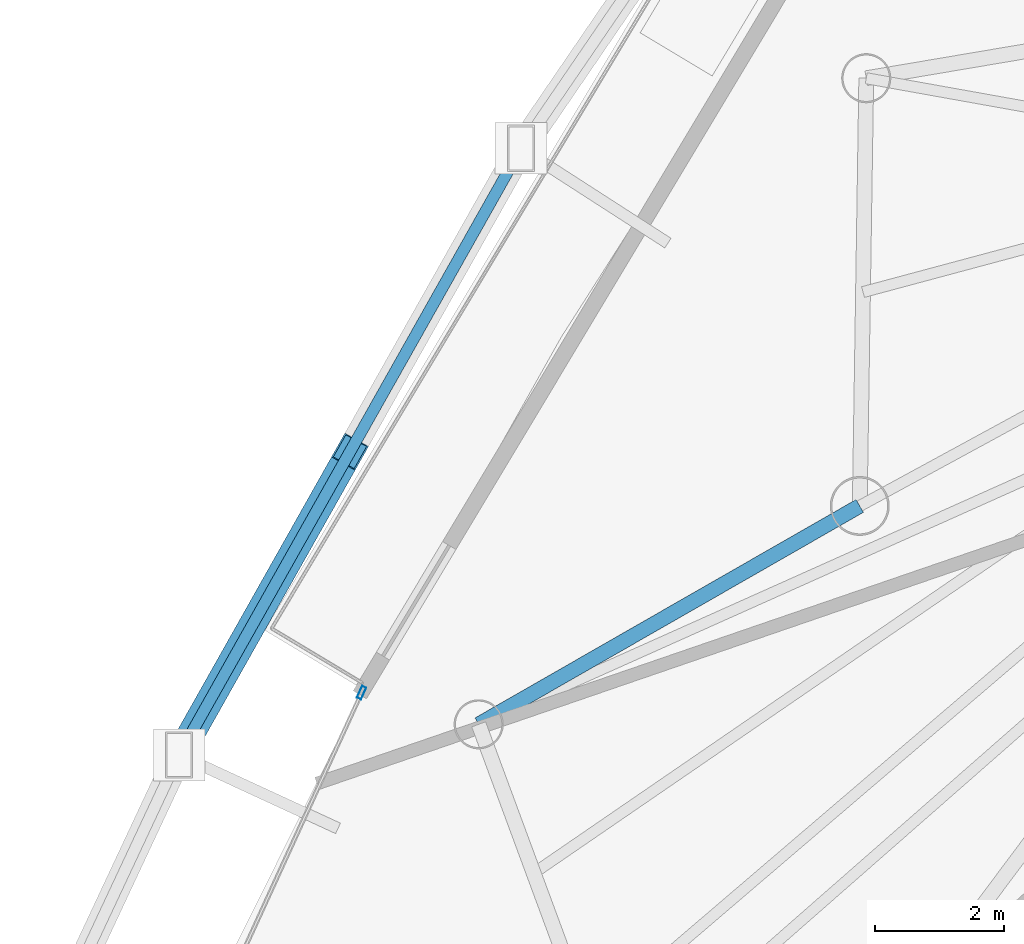
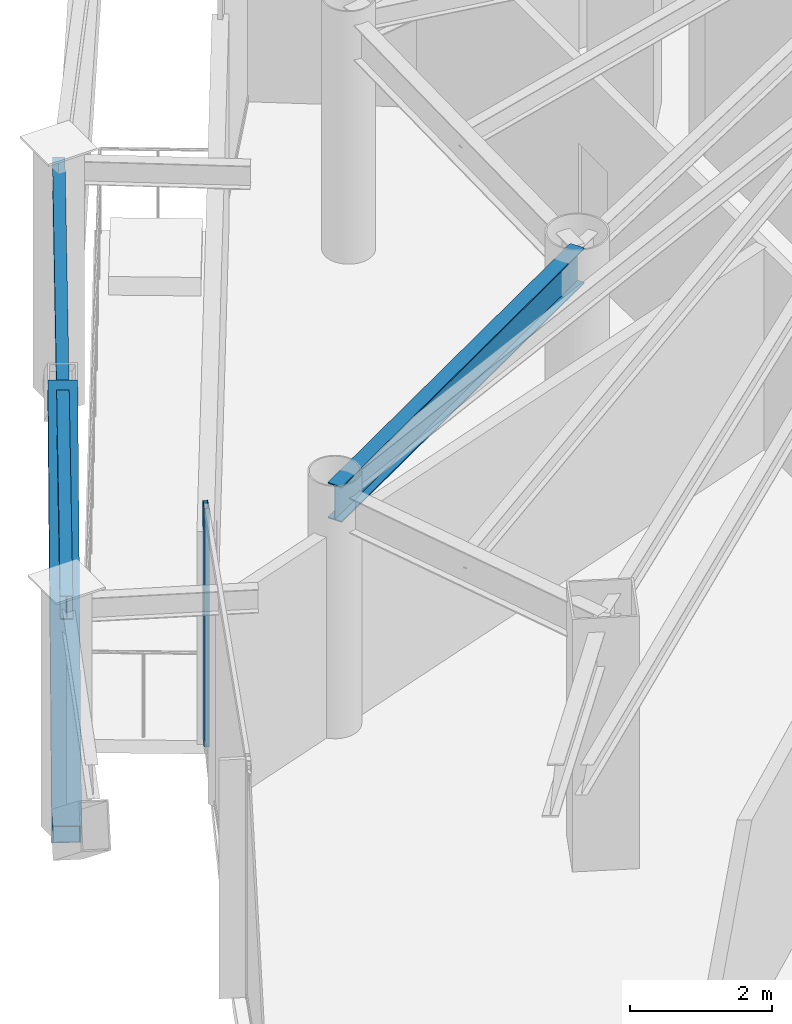
# One storey, part 10 of 33: 2 beams, 2 members, 1 element without a shape of its own.
"""IFC4 building model written with IfcOpenShell, lengths in metres."""

from ifc_helpers import new_model, si_unit, direction, frame, origin, origin_2d, place, context, subcontext, project, spatial, hollow_rectangle, i_section, extrude, material, layer, layer_set, material_profile, profile_set, type_object, element, aggregate, save


model = new_model("IFC4")

# Units and contexts
model_context = context("Model", 3, precision=1e-05, world=origin(), true_north=direction((0.0, 1.0)))
body_context = subcontext(model_context, "Body", "Model", "MODEL_VIEW")
ifc_project = project(units=[si_unit("LENGTHUNIT", "METRE"), si_unit("AREAUNIT", "SQUARE_METRE"), si_unit("VOLUMEUNIT", "CUBIC_METRE"), si_unit("PLANEANGLEUNIT", "RADIAN"), si_unit("MASSUNIT", "GRAM", prefix="KILO")], contexts=[model_context])

# Site, building, storey
site_placement = place(None, origin())
site = spatial("IfcSite", under=ifc_project, at=site_placement, CompositionType="ELEMENT")
building_placement = place(site_placement, origin())
building = spatial("IfcBuilding", under=site, at=building_placement, Name="Orvanel Arch Residences", CompositionType="ELEMENT")
storey_placement = place(building_placement, frame((0.0, 0.0, 59.89990234375)))
storey = spatial("IfcBuildingStorey", under=building, at=storey_placement, Name="L16", CompositionType="ELEMENT", Elevation=59.89990234375)

# Member
ifc_material_1 = material(Name="Structural steel AS/NZS 3678 Grade 350", Category="steel")
ifc_material_profile_1 = material_profile(ifc_material_1, hollow_rectangle(XDim=0.419921875, YDim=0.719970703125, WallThickness=0.02490234375, at=origin_2d()), Name="RHS720x420x25")
ifc_profile_set_1 = profile_set([ifc_material_profile_1], Name="Structural steel AS/NZS 3678 Grade 350")
member_type_1 = type_object("IfcMemberType", Name="BR-720RHS-EXT", PredefinedType="BRACE", material=ifc_profile_set_1)
member_1_placement = place(storey_placement, frame((10.01806640625, 23.781005859375, 0.0), z_axis=(0.397750470624, 0.705609481469, 0.586438251464), x_axis=(-0.871129337695, 0.491053639644, 0.0)))
element("IfcMember", 1, at=member_1_placement, inside=storey, type_object=member_type_1, Name="L16 Exterior Sky-Garden V-Frame Chevron F1B2.2", PredefinedType="BRACE", context=body_context, shape_type="SweptSolid", body=[
    extrude(hollow_rectangle(XDim=0.419921875, YDim=0.719970703125, WallThickness=0.02490234375, at=origin_2d()), origin(), (0.0, 0.0, 1.0), 6.662109375),
])

# Curtain wall, member
ifc_material_2 = material(Name="Bronze-anodised aluminium AA6063-T6", Category="aluminium")
ifc_layer = layer(ifc_material_2, 0.195068359375)
ifc_layer_set = layer_set([ifc_layer], Name="Bronze-anodised aluminium AA6063-T6")
curtain_wall_type = type_object("IfcCurtainWallType", Name="CW6-COM-SYS", PredefinedType="NOTDEFINED", material=ifc_layer_set)
curtain_wall_placement = place(storey_placement, origin())
curtain_wall = element("IfcCurtainWall", 2, at=curtain_wall_placement, inside=storey, type_object=curtain_wall_type, Name="L16 CW6-COM-SYS Unitised Curtain Wall", PredefinedType="NOTDEFINED")
ifc_material_profile_2 = material_profile(ifc_material_2, hollow_rectangle(XDim=0.074951171875, YDim=0.199951171875, WallThickness=0.0048828125, at=origin_2d()), Name="ALU200x75x5")
ifc_profile_set_2 = profile_set([ifc_material_profile_2], Name="Bronze-anodised aluminium AA6063-T6")
member_type_2 = type_object("IfcMemberType", Name="MUL-200x75", PredefinedType="MULLION", material=ifc_profile_set_2)
member_2_placement = place(storey_placement, frame((12.846435546875, 24.746826171875, 0.0), z_axis=(0.0, 0.0, 1.0), x_axis=(0.909406374809, -0.415908698463, 0.0)))
member_2 = element("IfcMember", 3, at=member_2_placement, type_object=member_type_2, Name="CW-S6 mullion 1", PredefinedType="MULLION", context=body_context, shape_type="SweptSolid", body=[
    extrude(hollow_rectangle(XDim=0.074951171875, YDim=0.199951171875, WallThickness=0.0048828125, at=origin_2d()), origin(), (0.0, 0.0, 1.0), 4.110107421875),
])
aggregate(curtain_wall, [member_2])

# Beams
ifc_material_3 = material(Name="Structural steel AS/NZS 3679.1 Grade 300 (300 MPa)", Category="steel")
ifc_material_profile_3 = material_profile(ifc_material_3, i_section(OverallWidth=0.177978515625, OverallDepth=0.406005859375, WebThickness=0.0078125, FlangeThickness=0.0126953125, at=origin_2d()), Name="410UB59.7")
ifc_profile_set_3 = profile_set([ifc_material_profile_3], Name="Structural steel AS/NZS 3679.1 Grade 300 (300 MPa)")
beam_type_1 = type_object("IfcBeamType", Name="OB-410UB-EXT", PredefinedType="SPANDREL", material=ifc_profile_set_3)
beam_1_placement = place(storey_placement, frame((15.318115234375, 33.18310546875, 3.906982421875), z_axis=(-0.491061129051, -0.871125115891, 0.0), x_axis=(0.871125115891, -0.491061129051, 0.0)))
element("IfcBeam", 4, at=beam_1_placement, inside=storey, type_object=beam_type_1, Name="L16 Outer Perimeter Floor Ring Beam 02", PredefinedType="SPANDREL", context=body_context, shape_type="SweptSolid", body=[
    extrude(i_section(OverallWidth=0.177978515625, OverallDepth=0.406005859375, WebThickness=0.0078125, FlangeThickness=0.0126953125, at=origin_2d()), origin(), (0.0, 0.0, 1.0), 10.79296875),
])
ifc_material_profile_4 = material_profile(ifc_material_3, i_section(OverallWidth=0.22900390625, OverallDepth=0.612060546875, WebThickness=0.011962890625, FlangeThickness=0.01953125, at=origin_2d()), Name="610UB125")
ifc_profile_set_4 = profile_set([ifc_material_profile_4], Name="Structural steel AS/NZS 3679.1 Grade 300 (300 MPa)")
beam_type_2 = type_object("IfcBeamType", Name="SP-610UB", PredefinedType="SPANDREL", material=ifc_profile_set_4)
beam_2_placement = place(storey_placement, frame((20.569091796875, 27.64111328125, 3.80419921875), z_axis=(-0.867635629025, -0.497200578485, 0.0), x_axis=(0.497200578485, -0.867635629025, 0.0)))
element("IfcBeam", 5, at=beam_2_placement, inside=storey, type_object=beam_type_2, Name="L16 Perimeter Spandrel Beam 21", PredefinedType="SPANDREL", context=body_context, shape_type="SweptSolid", body=[
    extrude(i_section(OverallWidth=0.22900390625, OverallDepth=0.612060546875, WebThickness=0.011962890625, FlangeThickness=0.01953125, at=origin_2d()), origin(), (0.0, 0.0, 1.0), 6.80810546875),
])

save(model, "model.ifc")
